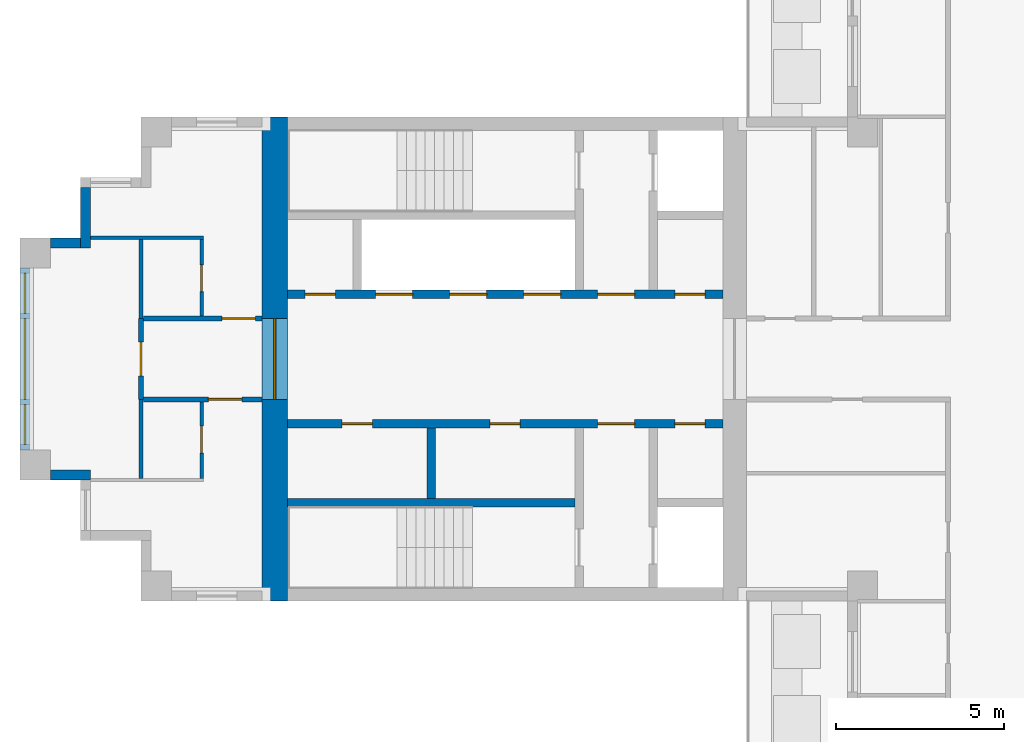
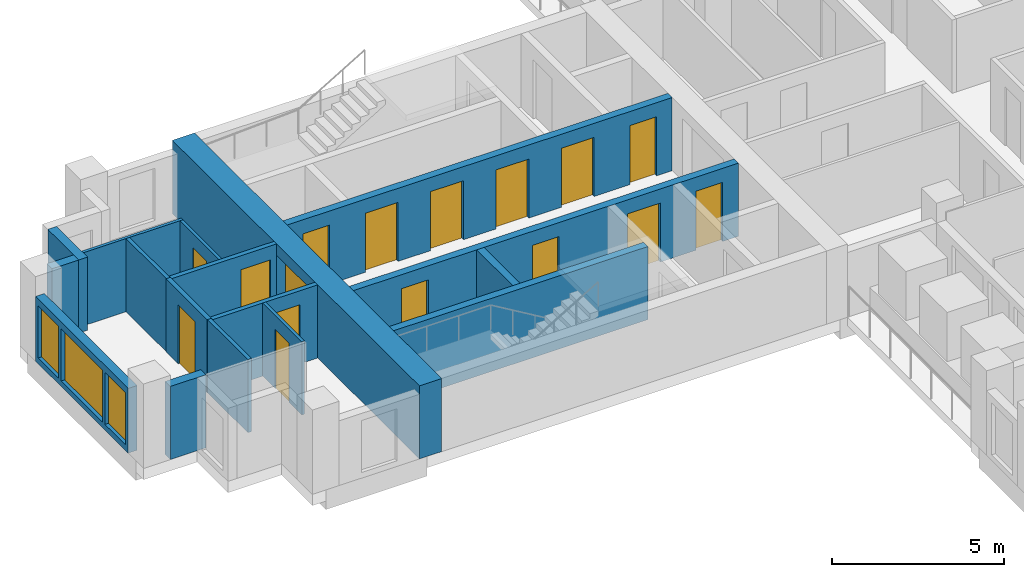
# One storey, part 3 of 10: 17 walls, 16 doors, 3 windows, 19 openings.
"""IFC4 building model written with IfcOpenShell, lengths in metres."""

from ifc_helpers import new_model, si_unit, direction, frame, frame_2d, origin, place, context, subcontext, project, spatial, rectangle, extrude, material, layer, layer_set, type_object, element, fill, save


model = new_model("IFC4")

# Units and contexts
model_context = context("Model", 3, precision=1e-05, world=origin(), true_north=direction((0.0, 1.0)))
body_context = subcontext(model_context, "Body", "Model", "MODEL_VIEW")
ifc_project = project(units=[si_unit("LENGTHUNIT", "METRE"), si_unit("AREAUNIT", "SQUARE_METRE"), si_unit("VOLUMEUNIT", "CUBIC_METRE"), si_unit("PLANEANGLEUNIT", "RADIAN"), si_unit("MASSUNIT", "GRAM", prefix="KILO")], contexts=[model_context])

# Site, building, storey
site_placement = place(None, origin())
site = spatial("IfcSite", under=ifc_project, at=site_placement, CompositionType="ELEMENT")
building_placement = place(site_placement, origin())
building = spatial("IfcBuilding", under=site, at=building_placement, Name="Fustian Cross Tower", CompositionType="ELEMENT")
storey_placement = place(building_placement, frame((0.0, 0.0, 204.89990234375)))
storey = spatial("IfcBuildingStorey", under=building, at=storey_placement, Name="L64", CompositionType="ELEMENT", Elevation=204.89990234375)

# Wall, opening, door
ifc_material_1 = material(Name="Plasterboard on steel stud", Category="steel")
ifc_layer_1 = layer(ifc_material_1, 0.14990234375)
ifc_layer_set_1 = layer_set([ifc_layer_1], Name="Plasterboard on steel stud")
wall_type_1 = type_object("IfcWallType", Name="COMPARTMENT WALL 150 EI 60", PredefinedType="PARTITIONING", material=ifc_layer_set_1)
wall_1_placement = place(storey_placement, frame((-25.199951171875, -1.199951171875, 0.0), z_axis=(0.0, 0.0, 1.0), x_axis=(0.0, 1.0, 0.0)))
wall_1 = element("IfcWall", 1, at=wall_1_placement, inside=storey, type_object=wall_type_1, Name="Partition 4", PredefinedType="PARTITIONING", context=body_context, shape_type="SweptSolid", body=[
    extrude(rectangle(XDim=2.39990234375, YDim=0.14990234375, at=frame_2d((1.199951171875, 0.0))), origin(), (0.0, 0.0, 1.0), 2.60009765625),
])
opening_1_placement = place(wall_1_placement, frame((0.699951171875, 0.0, 0.0)))
opening_1 = element("IfcOpeningElement", 2, at=opening_1_placement, cuts=wall_1, Name="Opening D29021", PredefinedType="OPENING", context=body_context, shape_type="SweptSolid", body=[
    extrude(rectangle(XDim=1.0, YDim=2.10009765625, at=frame_2d((0.5, 1.050048828125))), frame((0.0, 0.0849609375, 0.0), z_axis=(0.0, -1.0, 0.0), x_axis=(1.0, 0.0, 0.0)), (0.0, 0.0, 1.0), 0.169921875),
])
ifc_material_2 = material(Name="Timber fire door set", Category="wood")
door_type_1 = type_object("IfcDoorType", Name="FIRE SWING DOOR 1000 FD30S", OperationType="SINGLE_SWING_LEFT", PredefinedType="DOOR", material=ifc_material_2)
door_1_placement = place(opening_1_placement, origin())
door_1 = element("IfcDoor", 3, at=door_1_placement, inside=storey, type_object=door_type_1, Name="Door D29021", OperationType="SINGLE_SWING_LEFT", OverallHeight=2.10009765625, OverallWidth=1.0, PredefinedType="DOOR", context=body_context, shape_type="SweptSolid", body=[
    extrude(rectangle(XDim=1.0, YDim=2.10009765625, at=frame_2d((0.5, 1.050048828125))), frame((0.0, 0.02490234375, 0.0), z_axis=(0.0, -1.0, 0.0), x_axis=(1.0, 0.0, 0.0)), (0.0, 0.0, 1.0), 0.050048828125),
])
fill(opening_1, door_1)

wall_2_placement = place(storey_placement, frame((-25.125, -1.199951171875, 0.0), z_axis=(0.0, 0.0, 1.0), x_axis=(1.0, 0.0, 0.0)))
wall_2 = element("IfcWall", 4, at=wall_2_placement, inside=storey, type_object=wall_type_1, Name="Partition 5", PredefinedType="PARTITIONING", context=body_context, shape_type="SweptSolid", body=[
    extrude(rectangle(XDim=3.52490234375, YDim=0.14990234375, at=frame_2d((1.762451171875, 0.0))), origin(), (0.0, 0.0, 1.0), 2.60009765625),
])
opening_2_placement = place(wall_2_placement, frame((1.925048828125, 0.0, 0.0)))
opening_2 = element("IfcOpeningElement", 5, at=opening_2_placement, cuts=wall_2, Name="Opening D29023", PredefinedType="OPENING", context=body_context, shape_type="SweptSolid", body=[
    extrude(rectangle(XDim=1.0, YDim=2.10009765625, at=frame_2d((0.5, 1.050048828125))), frame((0.0, 0.0849609375, 0.0), z_axis=(0.0, -1.0, 0.0), x_axis=(1.0, 0.0, 0.0)), (0.0, 0.0, 1.0), 0.169921875),
])
door_2_placement = place(opening_2_placement, frame((1.0, 0.0, 0.0), z_axis=(0.0, 0.0, 1.0), x_axis=(-1.0, 0.0, 0.0)))
door_2 = element("IfcDoor", 6, at=door_2_placement, inside=storey, type_object=door_type_1, Name="Door D29023", OperationType="SINGLE_SWING_RIGHT", OverallHeight=2.10009765625, OverallWidth=1.0, PredefinedType="DOOR", context=body_context, shape_type="SweptSolid", body=[
    extrude(rectangle(XDim=1.0, YDim=2.10009765625, at=frame_2d((0.5, 1.050048828125))), frame((0.0, 0.02490234375, 0.0), z_axis=(0.0, -1.0, 0.0), x_axis=(1.0, 0.0, 0.0)), (0.0, 0.0, 1.0), 0.050048828125),
])
fill(opening_2, door_2)

wall_3_placement = place(storey_placement, frame((-25.125, 1.199951171875, 0.0), z_axis=(0.0, 0.0, 1.0), x_axis=(1.0, 0.0, 0.0)))
wall_3 = element("IfcWall", 7, at=wall_3_placement, inside=storey, type_object=wall_type_1, Name="Partition 7", PredefinedType="PARTITIONING", context=body_context, shape_type="SweptSolid", body=[
    extrude(rectangle(XDim=3.52490234375, YDim=0.14990234375, at=frame_2d((1.762451171875, 0.0))), origin(), (0.0, 0.0, 1.0), 2.60009765625),
])
opening_3_placement = place(wall_3_placement, frame((2.324951171875, 0.0, 0.0)))
opening_3 = element("IfcOpeningElement", 8, at=opening_3_placement, cuts=wall_3, Name="Opening D29025", PredefinedType="OPENING", context=body_context, shape_type="SweptSolid", body=[
    extrude(rectangle(XDim=1.0, YDim=2.10009765625, at=frame_2d((0.5, 1.050048828125))), frame((0.0, 0.0849609375, 0.0), z_axis=(0.0, -1.0, 0.0), x_axis=(1.0, 0.0, 0.0)), (0.0, 0.0, 1.0), 0.169921875),
])
door_3_placement = place(opening_3_placement, origin())
door_3 = element("IfcDoor", 9, at=door_3_placement, inside=storey, type_object=door_type_1, Name="Door D29025", OperationType="SINGLE_SWING_RIGHT", OverallHeight=2.10009765625, OverallWidth=1.0, PredefinedType="DOOR", context=body_context, shape_type="SweptSolid", body=[
    extrude(rectangle(XDim=1.0, YDim=2.10009765625, at=frame_2d((0.5, 1.050048828125))), frame((0.0, 0.02490234375, 0.0), z_axis=(0.0, -1.0, 0.0), x_axis=(1.0, 0.0, 0.0)), (0.0, 0.0, 1.0), 0.050048828125),
])
fill(opening_3, door_3)

ifc_material_3 = material(Name="Concrete C50/60", Category="concrete")
ifc_layer_2 = layer(ifc_material_3, 0.75)
ifc_layer_set_2 = layer_set([ifc_layer_2], Name="Concrete C50/60")
wall_type_2 = type_object("IfcWallType", Name="CORE END WALL 750 C50/60", PredefinedType="SHEAR", material=ifc_layer_set_2)
wall_4_placement = place(storey_placement, frame((-21.22509765625, -7.199951171875, 0.0), z_axis=(0.0, 0.0, 1.0), x_axis=(0.0, 1.0, 0.0)))
wall_4 = element("IfcWall", 10, at=wall_4_placement, inside=storey, type_object=wall_type_2, Name="Core end wall", PredefinedType="SHEAR", context=body_context, shape_type="SweptSolid", body=[
    extrude(rectangle(XDim=14.39990234375, YDim=0.75, at=frame_2d((7.199951171875, 0.0))), origin(), (0.0, 0.0, 1.0), 2.60009765625),
])
opening_4_placement = place(wall_4_placement, frame((6.0, 0.0, 0.0)))
opening_4 = element("IfcOpeningElement", 11, at=opening_4_placement, cuts=wall_4, Name="Opening CD-27-29", PredefinedType="OPENING", context=body_context, shape_type="SweptSolid", body=[
    extrude(rectangle(XDim=2.39990234375, YDim=2.199951171875, at=frame_2d((1.199951171875, 1.10009765625))), frame((0.0, 0.385009765625, 0.0), z_axis=(0.0, -1.0, 0.0), x_axis=(1.0, 0.0, 0.0)), (0.0, 0.0, 1.0), 0.77001953125),
])
ifc_material_4 = material(Name="Steel", Category="steel")
door_type_2 = type_object("IfcDoorType", Name="FIRE DOOR FD30S DOUBLE 2400X2200", OperationType="DOUBLE_DOOR_DOUBLE_SWING", PredefinedType="DOOR", material=ifc_material_4)
door_4_placement = place(opening_4_placement, frame((2.39990234375, 0.0, 0.0), z_axis=(0.0, 0.0, 1.0), x_axis=(-1.0, 0.0, 0.0)))
door_4 = element("IfcDoor", 12, at=door_4_placement, inside=storey, type_object=door_type_2, Name="Core door CD-27-29", OperationType="DOUBLE_DOOR_DOUBLE_SWING", OverallHeight=2.199951171875, OverallWidth=2.39990234375, PredefinedType="DOOR", context=body_context, shape_type="SweptSolid", body=[
    extrude(rectangle(XDim=2.39990234375, YDim=2.199951171875, at=frame_2d((1.199951171875, 1.10009765625))), frame((0.0, 0.02490234375, 0.0), z_axis=(0.0, -1.0, 0.0), x_axis=(1.0, 0.0, 0.0)), (0.0, 0.0, 1.0), 0.050048828125),
])
fill(opening_4, door_4)

# Wall, openings, doors
ifc_material_5 = material(Name="Concrete C50/60", Category="concrete")
ifc_layer_3 = layer(ifc_material_5, 0.25)
ifc_layer_set_3 = layer_set([ifc_layer_3], Name="Concrete C50/60")
wall_type_3 = type_object("IfcWallType", Name="CORE LOBBY WALL 250 C50/60", PredefinedType="SHEAR", material=ifc_layer_set_3)
wall_5_placement = place(storey_placement, frame((-7.89990234375, 1.925048828125, 0.0), z_axis=(0.0, 0.0, 1.0), x_axis=(-1.0, 0.0, 0.0)))
wall_5 = element("IfcWall", 13, at=wall_5_placement, inside=storey, type_object=wall_type_3, Name="Core lobby wall", PredefinedType="SHEAR", context=body_context, shape_type="SweptSolid", body=[
    extrude(rectangle(XDim=12.9501953125, YDim=0.25, at=frame_2d((6.47509765625, 0.0))), origin(), (0.0, 0.0, 1.0), 2.60009765625),
])
opening_5_placement = place(wall_5_placement, frame((4.824951171875, 0.0, 0.0)))
opening_5 = element("IfcOpeningElement", 14, at=opening_5_placement, cuts=wall_5, Name="Opening LD", PredefinedType="OPENING", context=body_context, shape_type="SweptSolid", body=[
    extrude(rectangle(XDim=1.10009765625, YDim=2.10009765625, at=frame_2d((0.550048828125, 1.050048828125))), frame((0.0, 0.135009765625, 0.0), z_axis=(0.0, -1.0, 0.0), x_axis=(1.0, 0.0, 0.0)), (0.0, 0.0, 1.0), 0.27001953125),
])
opening_6_placement = place(wall_5_placement, frame((7.02490234375, 0.0, 0.0)))
opening_6 = element("IfcOpeningElement", 15, at=opening_6_placement, cuts=wall_5, Name="Opening LD", PredefinedType="OPENING", context=body_context, shape_type="SweptSolid", body=[
    extrude(rectangle(XDim=1.10009765625, YDim=2.10009765625, at=frame_2d((0.550048828125, 1.050048828125))), frame((0.0, 0.135009765625, 0.0), z_axis=(0.0, -1.0, 0.0), x_axis=(1.0, 0.0, 0.0)), (0.0, 0.0, 1.0), 0.27001953125),
])
opening_7_placement = place(wall_5_placement, frame((9.22509765625, 0.0, 0.0)))
opening_7 = element("IfcOpeningElement", 16, at=opening_7_placement, cuts=wall_5, Name="Opening LD", PredefinedType="OPENING", context=body_context, shape_type="SweptSolid", body=[
    extrude(rectangle(XDim=1.10009765625, YDim=2.10009765625, at=frame_2d((0.550048828125, 1.050048828125))), frame((0.0, 0.135009765625, 0.0), z_axis=(0.0, -1.0, 0.0), x_axis=(1.0, 0.0, 0.0)), (0.0, 0.0, 1.0), 0.27001953125),
])
opening_8_placement = place(wall_5_placement, frame((0.52490234375, 0.0, 0.0)))
opening_8 = element("IfcOpeningElement", 17, at=opening_8_placement, cuts=wall_5, Name="Opening CD-27-24", PredefinedType="OPENING", context=body_context, shape_type="SweptSolid", body=[
    extrude(rectangle(XDim=0.89990234375, YDim=2.10009765625, at=frame_2d((0.449951171875, 1.050048828125))), frame((0.0, 0.135009765625, 0.0), z_axis=(0.0, -1.0, 0.0), x_axis=(1.0, 0.0, 0.0)), (0.0, 0.0, 1.0), 0.27001953125),
])
opening_9_placement = place(wall_5_placement, frame((2.625, 0.0, 0.0)))
opening_9 = element("IfcOpeningElement", 18, at=opening_9_placement, cuts=wall_5, Name="Opening CD-27-26", PredefinedType="OPENING", context=body_context, shape_type="SweptSolid", body=[
    extrude(rectangle(XDim=1.10009765625, YDim=2.10009765625, at=frame_2d((0.550048828125, 1.050048828125))), frame((0.0, 0.135009765625, 0.0), z_axis=(0.0, -1.0, 0.0), x_axis=(1.0, 0.0, 0.0)), (0.0, 0.0, 1.0), 0.27001953125),
])
opening_10_placement = place(wall_5_placement, frame((11.52490234375, 0.0, 0.0)))
opening_10 = element("IfcOpeningElement", 19, at=opening_10_placement, cuts=wall_5, Name="Opening CD-27-30", PredefinedType="OPENING", context=body_context, shape_type="SweptSolid", body=[
    extrude(rectangle(XDim=0.89990234375, YDim=2.10009765625, at=frame_2d((0.449951171875, 1.050048828125))), frame((0.0, 0.135009765625, 0.0), z_axis=(0.0, -1.0, 0.0), x_axis=(1.0, 0.0, 0.0)), (0.0, 0.0, 1.0), 0.27001953125),
])
ifc_material_6 = material(Name="Steel", Category="steel")
door_type_3 = type_object("IfcDoorType", Name="FIRE DOOR FD30S 900X2100", OperationType="SINGLE_SWING_LEFT", PredefinedType="DOOR", material=ifc_material_6)
door_5_placement = place(opening_10_placement, frame((0.89990234375, 0.0, 0.0), z_axis=(0.0, 0.0, 1.0), x_axis=(-1.0, 0.0, 0.0)))
door_5 = element("IfcDoor", 20, at=door_5_placement, inside=storey, type_object=door_type_3, Name="Core door CD-27-30", OperationType="SINGLE_SWING_RIGHT", OverallHeight=2.10009765625, OverallWidth=0.89990234375, PredefinedType="DOOR", context=body_context, shape_type="SweptSolid", body=[
    extrude(rectangle(XDim=0.89990234375, YDim=2.10009765625, at=frame_2d((0.449951171875, 1.050048828125))), frame((0.0, 0.02490234375, 0.0), z_axis=(0.0, -1.0, 0.0), x_axis=(1.0, 0.0, 0.0)), (0.0, 0.0, 1.0), 0.050048828125),
])
fill(opening_10, door_5)
ifc_material_7 = material(Name="Steel", Category="steel")
door_type_4 = type_object("IfcDoorType", Name="FIRE DOOR FD60S 1100X2100", OperationType="SINGLE_SWING_LEFT", PredefinedType="DOOR", material=ifc_material_7)
door_6_placement = place(opening_9_placement, frame((1.10009765625, 0.0, 0.0), z_axis=(0.0, 0.0, 1.0), x_axis=(-1.0, 0.0, 0.0)))
door_6 = element("IfcDoor", 21, at=door_6_placement, inside=storey, type_object=door_type_4, Name="Core door CD-27-26", OperationType="SINGLE_SWING_RIGHT", OverallHeight=2.10009765625, OverallWidth=1.10009765625, PredefinedType="DOOR", context=body_context, shape_type="SweptSolid", body=[
    extrude(rectangle(XDim=1.10009765625, YDim=2.10009765625, at=frame_2d((0.550048828125, 1.050048828125))), frame((0.0, 0.02490234375, 0.0), z_axis=(0.0, -1.0, 0.0), x_axis=(1.0, 0.0, 0.0)), (0.0, 0.0, 1.0), 0.050048828125),
])
fill(opening_9, door_6)
ifc_material_8 = material(Name="Steel", Category="steel")
door_type_5 = type_object("IfcDoorType", Name="FIRE DOOR FD60S 900X2100", OperationType="SINGLE_SWING_LEFT", PredefinedType="DOOR", material=ifc_material_8)
door_7_placement = place(opening_8_placement, frame((0.89990234375, 0.0, 0.0), z_axis=(0.0, 0.0, 1.0), x_axis=(-1.0, 0.0, 0.0)))
door_7 = element("IfcDoor", 22, at=door_7_placement, inside=storey, type_object=door_type_5, Name="Core door CD-27-24", OperationType="SINGLE_SWING_RIGHT", OverallHeight=2.10009765625, OverallWidth=0.89990234375, PredefinedType="DOOR", context=body_context, shape_type="SweptSolid", body=[
    extrude(rectangle(XDim=0.89990234375, YDim=2.10009765625, at=frame_2d((0.449951171875, 1.050048828125))), frame((0.0, 0.02490234375, 0.0), z_axis=(0.0, -1.0, 0.0), x_axis=(1.0, 0.0, 0.0)), (0.0, 0.0, 1.0), 0.050048828125),
])
fill(opening_8, door_7)
ifc_material_9 = material(Name="Stainless steel", Category="steel")
door_type_6 = type_object("IfcDoorType", Name="LIFT LANDING DOOR 1100X2100", OperationType="SLIDING_TO_LEFT", PredefinedType="DOOR", material=ifc_material_9)
door_8_placement = place(opening_5_placement, origin())
door_8 = element("IfcDoor", 23, at=door_8_placement, inside=storey, type_object=door_type_6, Name="Landing door HR1W", OperationType="SLIDING_TO_LEFT", OverallHeight=2.10009765625, OverallWidth=1.10009765625, PredefinedType="DOOR", context=body_context, shape_type="SweptSolid", body=[
    extrude(rectangle(XDim=1.10009765625, YDim=2.10009765625, at=frame_2d((0.550048828125, 1.050048828125))), frame((0.0, 0.02490234375, 0.0), z_axis=(0.0, -1.0, 0.0), x_axis=(1.0, 0.0, 0.0)), (0.0, 0.0, 1.0), 0.050048828125),
])
fill(opening_5, door_8)
door_9_placement = place(opening_6_placement, origin())
door_9 = element("IfcDoor", 24, at=door_9_placement, inside=storey, type_object=door_type_6, Name="Landing door HR2W", OperationType="SLIDING_TO_LEFT", OverallHeight=2.10009765625, OverallWidth=1.10009765625, PredefinedType="DOOR", context=body_context, shape_type="SweptSolid", body=[
    extrude(rectangle(XDim=1.10009765625, YDim=2.10009765625, at=frame_2d((0.550048828125, 1.050048828125))), frame((0.0, 0.02490234375, 0.0), z_axis=(0.0, -1.0, 0.0), x_axis=(1.0, 0.0, 0.0)), (0.0, 0.0, 1.0), 0.050048828125),
])
fill(opening_6, door_9)
door_10_placement = place(opening_7_placement, origin())
door_10 = element("IfcDoor", 25, at=door_10_placement, inside=storey, type_object=door_type_6, Name="Landing door HR3W", OperationType="SLIDING_TO_LEFT", OverallHeight=2.10009765625, OverallWidth=1.10009765625, PredefinedType="DOOR", context=body_context, shape_type="SweptSolid", body=[
    extrude(rectangle(XDim=1.10009765625, YDim=2.10009765625, at=frame_2d((0.550048828125, 1.050048828125))), frame((0.0, 0.02490234375, 0.0), z_axis=(0.0, -1.0, 0.0), x_axis=(1.0, 0.0, 0.0)), (0.0, 0.0, 1.0), 0.050048828125),
])
fill(opening_7, door_10)

wall_6_placement = place(storey_placement, frame((-7.89990234375, -1.925048828125, 0.0), z_axis=(0.0, 0.0, 1.0), x_axis=(-1.0, 0.0, 0.0)))
wall_6 = element("IfcWall", 26, at=wall_6_placement, inside=storey, type_object=wall_type_3, Name="Core lobby wall", PredefinedType="SHEAR", context=body_context, shape_type="SweptSolid", body=[
    extrude(rectangle(XDim=12.9501953125, YDim=0.25, at=frame_2d((6.47509765625, 0.0))), origin(), (0.0, 0.0, 1.0), 2.60009765625),
])
opening_11_placement = place(wall_6_placement, frame((0.52490234375, 0.0, 0.0)))
opening_11 = element("IfcOpeningElement", 27, at=opening_11_placement, cuts=wall_6, Name="Opening CD-27-25", PredefinedType="OPENING", context=body_context, shape_type="SweptSolid", body=[
    extrude(rectangle(XDim=0.89990234375, YDim=2.10009765625, at=frame_2d((0.449951171875, 1.050048828125))), frame((0.0, 0.135009765625, 0.0), z_axis=(0.0, -1.0, 0.0), x_axis=(1.0, 0.0, 0.0)), (0.0, 0.0, 1.0), 0.27001953125),
])
opening_12_placement = place(wall_6_placement, frame((2.625, 0.0, 0.0)))
opening_12 = element("IfcOpeningElement", 28, at=opening_12_placement, cuts=wall_6, Name="Opening CD-27-27", PredefinedType="OPENING", context=body_context, shape_type="SweptSolid", body=[
    extrude(rectangle(XDim=1.10009765625, YDim=2.10009765625, at=frame_2d((0.550048828125, 1.050048828125))), frame((0.0, 0.135009765625, 0.0), z_axis=(0.0, -1.0, 0.0), x_axis=(1.0, 0.0, 0.0)), (0.0, 0.0, 1.0), 0.27001953125),
])
opening_13_placement = place(wall_6_placement, frame((6.02490234375, 0.0, 0.0)))
opening_13 = element("IfcOpeningElement", 29, at=opening_13_placement, cuts=wall_6, Name="Opening CD-27-31", PredefinedType="OPENING", context=body_context, shape_type="SweptSolid", body=[
    extrude(rectangle(XDim=0.89990234375, YDim=2.10009765625, at=frame_2d((0.449951171875, 1.050048828125))), frame((0.0, 0.135009765625, 0.0), z_axis=(0.0, -1.0, 0.0), x_axis=(1.0, 0.0, 0.0)), (0.0, 0.0, 1.0), 0.27001953125),
])
opening_14_placement = place(wall_6_placement, frame((10.425048828125, 0.0, 0.0)))
opening_14 = element("IfcOpeningElement", 30, at=opening_14_placement, cuts=wall_6, Name="Opening CD-27-32", PredefinedType="OPENING", context=body_context, shape_type="SweptSolid", body=[
    extrude(rectangle(XDim=0.89990234375, YDim=2.10009765625, at=frame_2d((0.449951171875, 1.050048828125))), frame((0.0, 0.135009765625, 0.0), z_axis=(0.0, -1.0, 0.0), x_axis=(1.0, 0.0, 0.0)), (0.0, 0.0, 1.0), 0.27001953125),
])
ifc_material_10 = material(Name="Steel", Category="steel")
door_type_7 = type_object("IfcDoorType", Name="FIRE DOOR FD30S 1100X2100", OperationType="SINGLE_SWING_LEFT", PredefinedType="DOOR", material=ifc_material_10)
door_11_placement = place(opening_12_placement, frame((1.10009765625, 0.0, 0.0), z_axis=(0.0, 0.0, 1.0), x_axis=(-1.0, 0.0, 0.0)))
door_11 = element("IfcDoor", 31, at=door_11_placement, inside=storey, type_object=door_type_7, Name="Core door CD-27-27", OperationType="SINGLE_SWING_RIGHT", OverallHeight=2.10009765625, OverallWidth=1.10009765625, PredefinedType="DOOR", context=body_context, shape_type="SweptSolid", body=[
    extrude(rectangle(XDim=1.10009765625, YDim=2.10009765625, at=frame_2d((0.550048828125, 1.050048828125))), frame((0.0, 0.02490234375, 0.0), z_axis=(0.0, -1.0, 0.0), x_axis=(1.0, 0.0, 0.0)), (0.0, 0.0, 1.0), 0.050048828125),
])
fill(opening_12, door_11)
door_12_placement = place(opening_11_placement, origin())
door_12 = element("IfcDoor", 32, at=door_12_placement, inside=storey, type_object=door_type_3, Name="Core door CD-27-25", OperationType="SINGLE_SWING_LEFT", OverallHeight=2.10009765625, OverallWidth=0.89990234375, PredefinedType="DOOR", context=body_context, shape_type="SweptSolid", body=[
    extrude(rectangle(XDim=0.89990234375, YDim=2.10009765625, at=frame_2d((0.449951171875, 1.050048828125))), frame((0.0, 0.02490234375, 0.0), z_axis=(0.0, -1.0, 0.0), x_axis=(1.0, 0.0, 0.0)), (0.0, 0.0, 1.0), 0.050048828125),
])
fill(opening_11, door_12)
door_13_placement = place(opening_13_placement, origin())
door_13 = element("IfcDoor", 33, at=door_13_placement, inside=storey, type_object=door_type_3, Name="Core door CD-27-31", OperationType="SINGLE_SWING_RIGHT", OverallHeight=2.10009765625, OverallWidth=0.89990234375, PredefinedType="DOOR", context=body_context, shape_type="SweptSolid", body=[
    extrude(rectangle(XDim=0.89990234375, YDim=2.10009765625, at=frame_2d((0.449951171875, 1.050048828125))), frame((0.0, 0.02490234375, 0.0), z_axis=(0.0, -1.0, 0.0), x_axis=(1.0, 0.0, 0.0)), (0.0, 0.0, 1.0), 0.050048828125),
])
fill(opening_13, door_13)
door_14_placement = place(opening_14_placement, origin())
door_14 = element("IfcDoor", 34, at=door_14_placement, inside=storey, type_object=door_type_3, Name="Core door CD-27-32", OperationType="SINGLE_SWING_RIGHT", OverallHeight=2.10009765625, OverallWidth=0.89990234375, PredefinedType="DOOR", context=body_context, shape_type="SweptSolid", body=[
    extrude(rectangle(XDim=0.89990234375, YDim=2.10009765625, at=frame_2d((0.449951171875, 1.050048828125))), frame((0.0, 0.02490234375, 0.0), z_axis=(0.0, -1.0, 0.0), x_axis=(1.0, 0.0, 0.0)), (0.0, 0.0, 1.0), 0.050048828125),
])
fill(opening_14, door_14)

# Walls
ifc_material_11 = material(Name="Concrete C50/60", Category="concrete")
ifc_layer_4 = layer(ifc_material_11, 0.25)
ifc_layer_set_4 = layer_set([ifc_layer_4], Name="Concrete C50/60")
wall_type_4 = type_object("IfcWallType", Name="CORE SHAFT WALL 250 C50/60", PredefinedType="SHEAR", material=ifc_layer_set_4)
wall_7_placement = place(storey_placement, frame((-12.300048828125, -4.27490234375, 0.0), z_axis=(0.0, 0.0, 1.0), x_axis=(-1.0, 0.0, 0.0)))
element("IfcWall", 35, at=wall_7_placement, inside=storey, type_object=wall_type_4, Name="Core shaft wall", PredefinedType="SHEAR", context=body_context, shape_type="SweptSolid", body=[
    extrude(rectangle(XDim=8.550048828125, YDim=0.25, at=frame_2d((4.27490234375, 0.0))), origin(), (0.0, 0.0, 1.0), 2.60009765625),
])
ifc_material_12 = material(Name="Plasterboard on steel stud", Category="steel")
ifc_layer_5 = layer(ifc_material_12, 0.10009765625)
ifc_layer_set_5 = layer_set([ifc_layer_5], Name="Plasterboard on steel stud")
wall_type_5 = type_object("IfcWallType", Name="PARTITION 100 STUD", PredefinedType="PARTITIONING", material=ifc_layer_set_5)
wall_8_placement = place(storey_placement, frame((-26.699951171875, 3.60009765625, 0.0), z_axis=(0.0, 0.0, 1.0), x_axis=(1.0, 0.0, 0.0)))
element("IfcWall", 36, at=wall_8_placement, inside=storey, type_object=wall_type_5, Name="Partition 2", PredefinedType="PARTITIONING", context=body_context, shape_type="SweptSolid", body=[
    extrude(rectangle(XDim=3.349853515625, YDim=0.10009765625, at=frame_2d((1.6748046875, 0.0))), origin(), (0.0, 0.0, 1.0), 2.60009765625),
])

# Wall, opening, door
wall_9_placement = place(storey_placement, frame((-23.39990234375, -3.550048828125, 0.0), z_axis=(0.0, 0.0, 1.0), x_axis=(0.0, 1.0, 0.0)))
wall_9 = element("IfcWall", 37, at=wall_9_placement, inside=storey, type_object=wall_type_5, Name="Partition 8", PredefinedType="PARTITIONING", context=body_context, shape_type="SweptSolid", body=[
    extrude(rectangle(XDim=2.275146484375, YDim=0.10009765625, at=frame_2d((1.1376953125, 0.0))), origin(), (0.0, 0.0, 1.0), 2.60009765625),
])
opening_15_placement = place(wall_9_placement, frame((0.75, 0.0, 0.0)))
opening_15 = element("IfcOpeningElement", 38, at=opening_15_placement, cuts=wall_9, Name="Opening D29022", PredefinedType="OPENING", context=body_context, shape_type="SweptSolid", body=[
    extrude(rectangle(XDim=0.800048828125, YDim=2.10009765625, at=frame_2d((0.39990234375, 1.050048828125))), frame((0.0, 0.06005859375, 0.0), z_axis=(0.0, -1.0, 0.0), x_axis=(1.0, 0.0, 0.0)), (0.0, 0.0, 1.0), 0.1201171875),
])
ifc_material_13 = material(Name="Painted timber", Category="wood")
door_type_8 = type_object("IfcDoorType", Name="SWING DOOR 800", OperationType="SINGLE_SWING_LEFT", PredefinedType="DOOR", material=ifc_material_13)
door_15_placement = place(opening_15_placement, origin())
door_15 = element("IfcDoor", 39, at=door_15_placement, inside=storey, type_object=door_type_8, Name="Door D29022", OperationType="SINGLE_SWING_LEFT", OverallHeight=2.10009765625, OverallWidth=0.800048828125, PredefinedType="DOOR", context=body_context, shape_type="SweptSolid", body=[
    extrude(rectangle(XDim=0.800048828125, YDim=2.10009765625, at=frame_2d((0.39990234375, 1.050048828125))), frame((0.0, 0.02490234375, 0.0), z_axis=(0.0, -1.0, 0.0), x_axis=(1.0, 0.0, 0.0)), (0.0, 0.0, 1.0), 0.050048828125),
])
fill(opening_15, door_15)

wall_10_placement = place(storey_placement, frame((-23.39990234375, 1.27490234375, 0.0), z_axis=(0.0, 0.0, 1.0), x_axis=(0.0, 1.0, 0.0)))
wall_10 = element("IfcWall", 40, at=wall_10_placement, inside=storey, type_object=wall_type_5, Name="Partition 9", PredefinedType="PARTITIONING", context=body_context, shape_type="SweptSolid", body=[
    extrude(rectangle(XDim=2.275146484375, YDim=0.10009765625, at=frame_2d((1.1376953125, 0.0))), origin(), (0.0, 0.0, 1.0), 2.60009765625),
])
opening_16_placement = place(wall_10_placement, frame((0.72509765625, 0.0, 0.0)))
opening_16 = element("IfcOpeningElement", 41, at=opening_16_placement, cuts=wall_10, Name="Opening D29024", PredefinedType="OPENING", context=body_context, shape_type="SweptSolid", body=[
    extrude(rectangle(XDim=0.800048828125, YDim=2.10009765625, at=frame_2d((0.39990234375, 1.050048828125))), frame((0.0, 0.06005859375, 0.0), z_axis=(0.0, -1.0, 0.0), x_axis=(1.0, 0.0, 0.0)), (0.0, 0.0, 1.0), 0.1201171875),
])
door_16_placement = place(opening_16_placement, origin())
door_16 = element("IfcDoor", 42, at=door_16_placement, inside=storey, type_object=door_type_8, Name="Door D29024", OperationType="SINGLE_SWING_LEFT", OverallHeight=2.10009765625, OverallWidth=0.800048828125, PredefinedType="DOOR", context=body_context, shape_type="SweptSolid", body=[
    extrude(rectangle(XDim=0.800048828125, YDim=2.10009765625, at=frame_2d((0.39990234375, 1.050048828125))), frame((0.0, 0.02490234375, 0.0), z_axis=(0.0, -1.0, 0.0), x_axis=(1.0, 0.0, 0.0)), (0.0, 0.0, 1.0), 0.050048828125),
])
fill(opening_16, door_16)

# Walls
ifc_material_14 = material(Name="Concrete C40/50", Category="concrete")
ifc_layer_6 = layer(ifc_material_14, 0.25)
ifc_layer_set_6 = layer_set([ifc_layer_6], Name="Concrete C40/50")
wall_type_6 = type_object("IfcWallType", Name="SHAFT PARTITION WALL 250 C40/50", PredefinedType="PARTITIONING", material=ifc_layer_set_6)
wall_11_placement = place(storey_placement, frame((-16.574951171875, -2.050048828125, 0.0), z_axis=(0.0, 0.0, 1.0), x_axis=(0.0, -1.0, 0.0)))
element("IfcWall", 43, at=wall_11_placement, inside=storey, type_object=wall_type_6, Name="Core shaft wall", PredefinedType="PARTITIONING", context=body_context, shape_type="SweptSolid", body=[
    extrude(rectangle(XDim=2.099853515625, YDim=0.25, at=frame_2d((1.0498046875, 0.0))), origin(), (0.0, 0.0, 1.0), 2.60009765625),
])
ifc_material_15 = material(Name="Plasterboard on steel stud", Category="steel")
ifc_layer_7 = layer(ifc_material_15, 0.125)
ifc_layer_set_7 = layer_set([ifc_layer_7], Name="Plasterboard on steel stud")
wall_type_7 = type_object("IfcWallType", Name="WET WALL 125 STUD", PredefinedType="PARTITIONING", material=ifc_layer_set_7)
for number, where, z_axis, x_axis, name in (
    (44, (-25.199951171875, -3.550048828125, 0.0), (0.0, 0.0, 1.0), (0.0, 1.0, 0.0), "Partition 3"),
    (45, (-25.199951171875, 1.199951171875, 0.0), (0.0, 0.0, 1.0), (0.0, 1.0, 0.0), "Partition 6"),
):
    element("IfcWall", number, at=place(storey_placement, frame(where, z_axis=z_axis, x_axis=x_axis)), inside=storey, type_object=wall_type_7, Name=name, PredefinedType="PARTITIONING", context=body_context, shape_type="SweptSolid", body=[
        extrude(rectangle(XDim=2.35009765625, YDim=0.125, at=frame_2d((1.175048828125, 0.0))), origin(), (0.0, 0.0, 1.0), 2.60009765625),
    ])
ifc_material_16 = material(Name="Dark aluminium cladding on insulated backing wall", Category="aluminium")
ifc_layer_8 = layer(ifc_material_16, 0.300048828125)
ifc_layer_set_8 = layer_set([ifc_layer_8], Name="Dark aluminium cladding on insulated backing wall")
wall_type_8 = type_object("IfcWallType", Name="XW1 EXTERNAL WALL 300", PredefinedType="SOLIDWALL", material=ifc_layer_set_8)
wall_12_placement = place(storey_placement, frame((-26.85009765625, 5.10009765625, 0.0), z_axis=(0.0, 0.0, 1.0), x_axis=(0.0, -1.0, 0.0)))
element("IfcWall", 46, at=wall_12_placement, inside=storey, type_object=wall_type_8, Name="External wall", PredefinedType="SOLIDWALL", context=body_context, shape_type="SweptSolid", body=[
    extrude(rectangle(XDim=1.800048828125, YDim=0.300048828125, at=frame_2d((0.89990234375, 0.0))), origin(), (0.0, 0.0, 1.0), 2.60009765625),
])
wall_13_placement = place(storey_placement, frame((-27.0, 3.449951171875, 0.0), z_axis=(0.0, 0.0, 1.0), x_axis=(-1.0, 0.0, 0.0)))
element("IfcWall", 47, at=wall_13_placement, inside=storey, type_object=wall_type_8, Name="External wall", PredefinedType="SOLIDWALL", context=body_context, shape_type="SweptSolid", body=[
    extrude(rectangle(XDim=0.89990234375, YDim=0.300048828125, at=frame_2d((0.449951171875, 0.0))), origin(), (0.0, 0.0, 1.0), 2.60009765625),
])

# Wall, openings, windows
wall_14_placement = place(storey_placement, frame((-28.64990234375, 2.699951171875, 0.0), z_axis=(0.0, 0.0, 1.0), x_axis=(0.0, -1.0, 0.0)))
wall_14 = element("IfcWall", 48, at=wall_14_placement, inside=storey, type_object=wall_type_8, Name="External wall", PredefinedType="SOLIDWALL", context=body_context, shape_type="SweptSolid", body=[
    extrude(rectangle(XDim=5.39990234375, YDim=0.300048828125, at=frame_2d((2.699951171875, 0.0))), origin(), (0.0, 0.0, 1.0), 2.300048828125),
])
opening_17_placement = place(wall_14_placement, frame((1.5, 0.0, 0.199951171875)))
opening_17 = element("IfcOpeningElement", 49, at=opening_17_placement, cuts=wall_14, Name="Opening WN1", PredefinedType="OPENING", context=body_context, shape_type="SweptSolid", body=[
    extrude(rectangle(XDim=2.39990234375, YDim=1.85009765625, at=frame_2d((1.199951171875, 0.925048828125))), frame((0.0, 0.159912109375, 0.0), z_axis=(0.0, -1.0, 0.0), x_axis=(1.0, 0.0, 0.0)), (0.0, 0.0, 1.0), 0.320068359375),
])
opening_18_placement = place(wall_14_placement, frame((0.14990234375, 0.0, 0.199951171875)))
opening_18 = element("IfcOpeningElement", 50, at=opening_18_placement, cuts=wall_14, Name="Opening WN3", PredefinedType="OPENING", context=body_context, shape_type="SweptSolid", body=[
    extrude(rectangle(XDim=1.199951171875, YDim=1.85009765625, at=frame_2d((0.60009765625, 0.925048828125))), frame((0.0, 0.159912109375, 0.0), z_axis=(0.0, -1.0, 0.0), x_axis=(1.0, 0.0, 0.0)), (0.0, 0.0, 1.0), 0.320068359375),
])
opening_19_placement = place(wall_14_placement, frame((4.050048828125, 0.0, 0.199951171875)))
opening_19 = element("IfcOpeningElement", 51, at=opening_19_placement, cuts=wall_14, Name="Opening WN3", PredefinedType="OPENING", context=body_context, shape_type="SweptSolid", body=[
    extrude(rectangle(XDim=1.199951171875, YDim=1.85009765625, at=frame_2d((0.60009765625, 0.925048828125))), frame((0.0, 0.159912109375, 0.0), z_axis=(0.0, -1.0, 0.0), x_axis=(1.0, 0.0, 0.0)), (0.0, 0.0, 1.0), 0.320068359375),
])
ifc_material_17 = material(Name="Dark anodised aluminium and double glazing", Category="aluminium")
window_type_1 = type_object("IfcWindowType", Name="WN1 WINDOW 2400X1850", PartitioningType="SINGLE_PANEL", PredefinedType="WINDOW", material=ifc_material_17)
window_1_placement = place(opening_17_placement, origin())
window_1 = element("IfcWindow", 52, at=window_1_placement, inside=storey, type_object=window_type_1, Name="Window", OverallHeight=1.85009765625, OverallWidth=2.39990234375, PartitioningType="SINGLE_PANEL", PredefinedType="WINDOW", context=body_context, shape_type="SweptSolid", body=[
    extrude(rectangle(XDim=2.39990234375, YDim=1.85009765625, at=frame_2d((1.199951171875, 0.925048828125))), frame((0.0, 0.030029296875, 0.0), z_axis=(0.0, -1.0, 0.0), x_axis=(1.0, 0.0, 0.0)), (0.0, 0.0, 1.0), 0.06005859375),
])
fill(opening_17, window_1)
ifc_material_18 = material(Name="Dark anodised aluminium and double glazing", Category="aluminium")
window_type_2 = type_object("IfcWindowType", Name="WN3 WINDOW 1200X1850", PartitioningType="SINGLE_PANEL", PredefinedType="WINDOW", material=ifc_material_18)
window_2_placement = place(opening_18_placement, origin())
window_2 = element("IfcWindow", 53, at=window_2_placement, inside=storey, type_object=window_type_2, Name="Window", OverallHeight=1.85009765625, OverallWidth=1.199951171875, PartitioningType="SINGLE_PANEL", PredefinedType="WINDOW", context=body_context, shape_type="SweptSolid", body=[
    extrude(rectangle(XDim=1.199951171875, YDim=1.85009765625, at=frame_2d((0.60009765625, 0.925048828125))), frame((0.0, 0.030029296875, 0.0), z_axis=(0.0, -1.0, 0.0), x_axis=(1.0, 0.0, 0.0)), (0.0, 0.0, 1.0), 0.06005859375),
])
fill(opening_18, window_2)
window_3_placement = place(opening_19_placement, origin())
window_3 = element("IfcWindow", 54, at=window_3_placement, inside=storey, type_object=window_type_2, Name="Window", OverallHeight=1.85009765625, OverallWidth=1.199951171875, PartitioningType="SINGLE_PANEL", PredefinedType="WINDOW", context=body_context, shape_type="SweptSolid", body=[
    extrude(rectangle(XDim=1.199951171875, YDim=1.85009765625, at=frame_2d((0.60009765625, 0.925048828125))), frame((0.0, 0.030029296875, 0.0), z_axis=(0.0, -1.0, 0.0), x_axis=(1.0, 0.0, 0.0)), (0.0, 0.0, 1.0), 0.06005859375),
])
fill(opening_19, window_3)

# Wall
wall_15_placement = place(storey_placement, frame((-27.89990234375, -3.449951171875, 0.0), z_axis=(0.0, 0.0, 1.0), x_axis=(1.0, 0.0, 0.0)))
element("IfcWall", 55, at=wall_15_placement, inside=storey, type_object=wall_type_8, Name="External wall", PredefinedType="SOLIDWALL", context=body_context, shape_type="SweptSolid", body=[
    extrude(rectangle(XDim=1.199951171875, YDim=0.300048828125, at=frame_2d((0.60009765625, 0.0))), origin(), (0.0, 0.0, 1.0), 2.60009765625),
])

save(model, "model.ifc")
